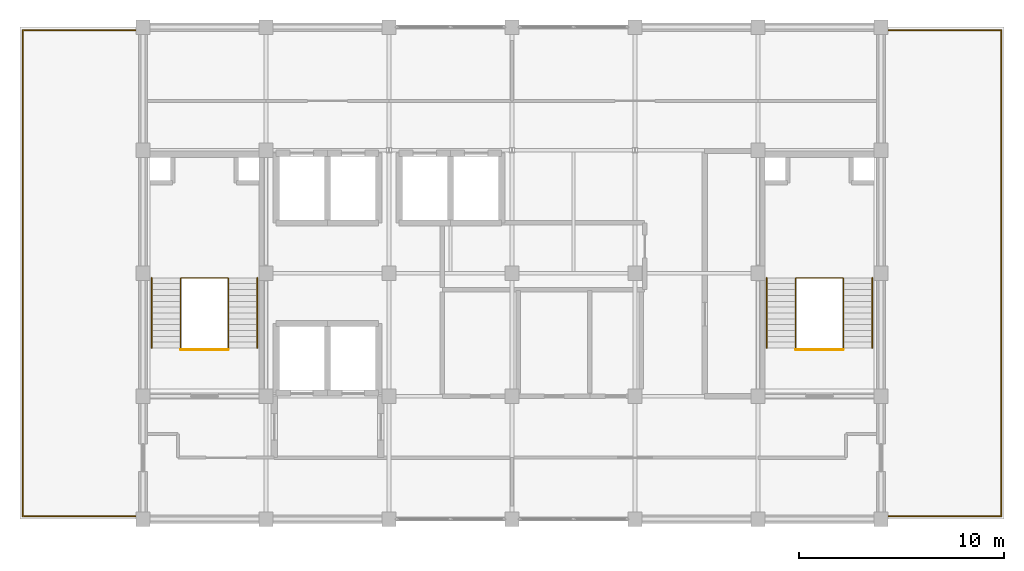
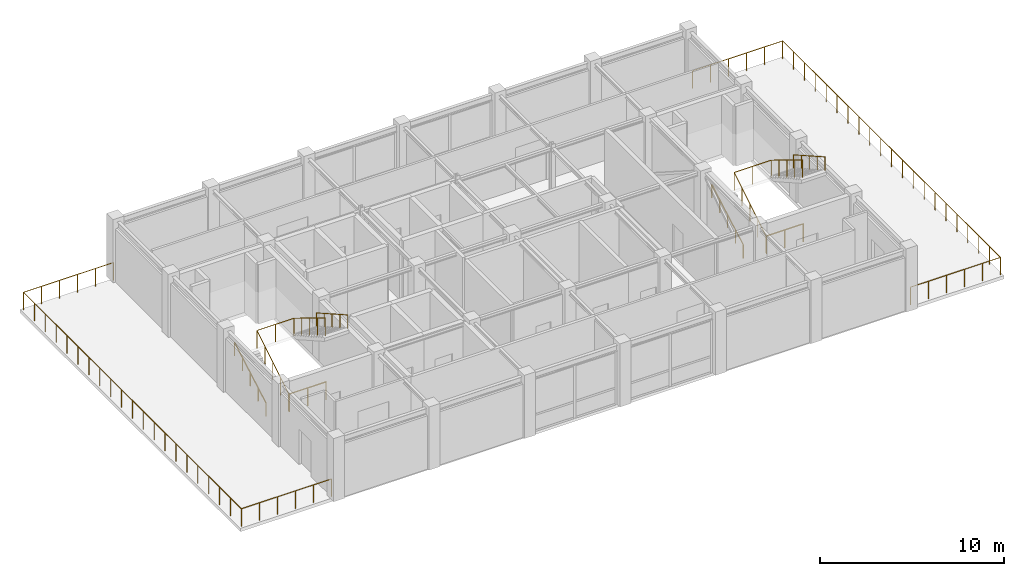
# One storey, part 14 of 14: 10 railings.
"""IFC4 building model written with IfcOpenShell, lengths in metres."""

from ifc_helpers import new_model, si_unit, direction, frame, origin, origin_2d, place, context, subcontext, project, spatial, circle, extrude, material, type_object, element, save


model = new_model("IFC4")

# Units and contexts
model_context = context("Model", 3, precision=1e-05, world=origin(), true_north=direction((0.0, 1.0)))
body_context = subcontext(model_context, "Body", "Model", "MODEL_VIEW")
ifc_project = project(units=[si_unit("LENGTHUNIT", "METRE"), si_unit("AREAUNIT", "SQUARE_METRE"), si_unit("VOLUMEUNIT", "CUBIC_METRE"), si_unit("PLANEANGLEUNIT", "RADIAN"), si_unit("MASSUNIT", "GRAM", prefix="KILO")], contexts=[model_context])

# Site, building, storey
site_placement = place(None, origin())
site = spatial("IfcSite", under=ifc_project, at=site_placement, CompositionType="ELEMENT")
building_placement = place(site_placement, origin())
building = spatial("IfcBuilding", under=site, at=building_placement, Name="Zlatovratsky Civic Hall", CompositionType="ELEMENT")
storey_placement = place(building_placement, frame((0.0, 0.0, 67.800048828125)))
storey = spatial("IfcBuildingStorey", under=building, at=storey_placement, Name="L17", CompositionType="ELEMENT", Elevation=67.800048828125)

# Railings
ifc_material_1 = material(Name="Brushed stainless steel AISI 304", Category="steel")
railing_type_1 = type_object("IfcRailingType", Name="Railing_Guardrail_1200", PredefinedType="GUARDRAIL", material=ifc_material_1)
railing_1_placement = place(storey_placement, frame((67.840087890625, 86.35009765625, 0.0)))
element("IfcRailing", 1, at=railing_1_placement, inside=storey, type_object=railing_type_1, Name="RL-0568", PredefinedType="GUARDRAIL", context=body_context, shape_type="SweptSolid", body=[
    extrude(circle(Radius=0.02392578125, at=origin_2d()), frame((0.0, 0.0, 1.17578125), z_axis=(0.0, 0.852182171552, 0.523245206847), x_axis=(-1.0, 0.0, 0.0)), (0.0, 0.0, 1.0), 4.01318359375),
    extrude(circle(Radius=0.02392578125, at=origin_2d()), frame((0.0, 3.419921875, 3.27587890625), z_axis=(1.0, 0.0, 0.0), x_axis=(0.0, 1.0, 0.0)), (0.0, 0.0, 1.0), 2.31982421875),
    extrude(circle(Radius=0.02392578125, at=origin_2d()), frame((2.31982421875, 3.419921875, 3.27587890625), z_axis=(0.0, -0.852155044755, 0.523289384279), x_axis=(1.0, 0.0, 0.0)), (0.0, 0.0, 1.0), 4.01318359375),
    extrude(circle(Radius=0.02099609375, at=origin_2d()), origin(), (0.0, 0.0, 1.0), 1.15185546875),
    extrude(circle(Radius=0.02099609375, at=origin_2d()), frame((0.0, 0.85498046875, 0.52490234375)), (0.0, 0.0, 1.0), 1.15185546875),
    extrude(circle(Radius=0.02099609375, at=origin_2d()), frame((0.0, 1.7099609375, 1.0498046875)), (0.0, 0.0, 1.0), 1.15185546875),
    extrude(circle(Radius=0.02099609375, at=origin_2d()), frame((0.0, 2.56494140625, 1.574951171875)), (0.0, 0.0, 1.0), 1.15185546875),
    extrude(circle(Radius=0.02099609375, at=origin_2d()), frame((0.0, 3.419921875, 2.099853515625)), (0.0, 0.0, 1.0), 1.15185546875),
    extrude(circle(Radius=0.02099609375, at=origin_2d()), frame((1.159912109375, 3.419921875, 2.099853515625)), (0.0, 0.0, 1.0), 1.15185546875),
    extrude(circle(Radius=0.02099609375, at=origin_2d()), frame((2.31982421875, 3.419921875, 2.099853515625)), (0.0, 0.0, 1.0), 1.15185546875),
    extrude(circle(Radius=0.02099609375, at=origin_2d()), frame((2.31982421875, 2.56494140625, 2.625)), (0.0, 0.0, 1.0), 1.15185546875),
    extrude(circle(Radius=0.02099609375, at=origin_2d()), frame((2.31982421875, 1.7099609375, 3.14990234375)), (0.0, 0.0, 1.0), 1.15185546875),
    extrude(circle(Radius=0.02099609375, at=origin_2d()), frame((2.31982421875, 0.85498046875, 3.6748046875)), (0.0, 0.0, 1.0), 1.15185546875),
    extrude(circle(Radius=0.02099609375, at=origin_2d()), frame((2.31982421875, 0.0, 4.199951171875)), (0.0, 0.0, 1.0), 1.15185546875),
])
railing_2_placement = place(storey_placement, frame((67.840087890625, 86.27001953125, 0.0)))
element("IfcRailing", 2, at=railing_2_placement, inside=storey, type_object=railing_type_1, Name="RL-0571", PredefinedType="GUARDRAIL", context=body_context, shape_type="SweptSolid", body=[
    extrude(circle(Radius=0.02392578125, at=origin_2d()), frame((0.0, 0.0, 1.17578125), z_axis=(1.0, 0.0, 0.0), x_axis=(0.0, 1.0, 0.0)), (0.0, 0.0, 1.0), 2.31982421875),
    extrude(circle(Radius=0.02099609375, at=origin_2d()), origin(), (0.0, 0.0, 1.0), 1.15185546875),
    extrude(circle(Radius=0.02099609375, at=origin_2d()), frame((1.159912109375, 0.0, 0.0)), (0.0, 0.0, 1.0), 1.15185546875),
    extrude(circle(Radius=0.02099609375, at=origin_2d()), frame((2.31982421875, 0.0, 0.0)), (0.0, 0.0, 1.0), 1.15185546875),
])
railing_3_placement = place(storey_placement, frame((97.840087890625, 86.35009765625, 0.0)))
element("IfcRailing", 3, at=railing_3_placement, inside=storey, type_object=railing_type_1, Name="RL-0644", PredefinedType="GUARDRAIL", context=body_context, shape_type="SweptSolid", body=[
    extrude(circle(Radius=0.02392578125, at=origin_2d()), frame((0.0, 0.0, 1.17578125), z_axis=(0.0, 0.852182171552, 0.523245206847), x_axis=(-1.0, 0.0, 0.0)), (0.0, 0.0, 1.0), 4.01318359375),
    extrude(circle(Radius=0.02392578125, at=origin_2d()), frame((0.0, 3.419921875, 3.27587890625), z_axis=(1.0, 0.0, 0.0), x_axis=(0.0, 1.0, 0.0)), (0.0, 0.0, 1.0), 2.31982421875),
    extrude(circle(Radius=0.02392578125, at=origin_2d()), frame((2.31982421875, 3.419921875, 3.27587890625), z_axis=(0.0, -0.852155044755, 0.523289384279), x_axis=(1.0, 0.0, 0.0)), (0.0, 0.0, 1.0), 4.01318359375),
    extrude(circle(Radius=0.02099609375, at=origin_2d()), origin(), (0.0, 0.0, 1.0), 1.15185546875),
    extrude(circle(Radius=0.02099609375, at=origin_2d()), frame((0.0, 0.85498046875, 0.52490234375)), (0.0, 0.0, 1.0), 1.15185546875),
    extrude(circle(Radius=0.02099609375, at=origin_2d()), frame((0.0, 1.7099609375, 1.0498046875)), (0.0, 0.0, 1.0), 1.15185546875),
    extrude(circle(Radius=0.02099609375, at=origin_2d()), frame((0.0, 2.56494140625, 1.574951171875)), (0.0, 0.0, 1.0), 1.15185546875),
    extrude(circle(Radius=0.02099609375, at=origin_2d()), frame((0.0, 3.419921875, 2.099853515625)), (0.0, 0.0, 1.0), 1.15185546875),
    extrude(circle(Radius=0.02099609375, at=origin_2d()), frame((1.159912109375, 3.419921875, 2.099853515625)), (0.0, 0.0, 1.0), 1.15185546875),
    extrude(circle(Radius=0.02099609375, at=origin_2d()), frame((2.31982421875, 3.419921875, 2.099853515625)), (0.0, 0.0, 1.0), 1.15185546875),
    extrude(circle(Radius=0.02099609375, at=origin_2d()), frame((2.31982421875, 2.56494140625, 2.625)), (0.0, 0.0, 1.0), 1.15185546875),
    extrude(circle(Radius=0.02099609375, at=origin_2d()), frame((2.31982421875, 1.7099609375, 3.14990234375)), (0.0, 0.0, 1.0), 1.15185546875),
    extrude(circle(Radius=0.02099609375, at=origin_2d()), frame((2.31982421875, 0.85498046875, 3.6748046875)), (0.0, 0.0, 1.0), 1.15185546875),
    extrude(circle(Radius=0.02099609375, at=origin_2d()), frame((2.31982421875, 0.0, 4.199951171875)), (0.0, 0.0, 1.0), 1.15185546875),
])
railing_4_placement = place(storey_placement, frame((97.840087890625, 86.27001953125, 0.0)))
element("IfcRailing", 4, at=railing_4_placement, inside=storey, type_object=railing_type_1, Name="RL-0647", PredefinedType="GUARDRAIL", context=body_context, shape_type="SweptSolid", body=[
    extrude(circle(Radius=0.02392578125, at=origin_2d()), frame((0.0, 0.0, 1.17578125), z_axis=(1.0, 0.0, 0.0), x_axis=(0.0, 1.0, 0.0)), (0.0, 0.0, 1.0), 2.31982421875),
    extrude(circle(Radius=0.02099609375, at=origin_2d()), origin(), (0.0, 0.0, 1.0), 1.15185546875),
    extrude(circle(Radius=0.02099609375, at=origin_2d()), frame((1.159912109375, 0.0, 0.0)), (0.0, 0.0, 1.0), 1.15185546875),
    extrude(circle(Radius=0.02099609375, at=origin_2d()), frame((2.31982421875, 0.0, 0.0)), (0.0, 0.0, 1.0), 1.15185546875),
])
railing_type_2 = type_object("IfcRailingType", Name="Railing_Handrail_900", PredefinedType="HANDRAIL", material=ifc_material_1)
railing_5_placement = place(storey_placement, frame((66.429931640625, 86.35009765625, 0.161865234375)))
element("IfcRailing", 5, at=railing_5_placement, inside=storey, type_object=railing_type_2, Name="RL-0569", PredefinedType="HANDRAIL", context=body_context, shape_type="SweptSolid", body=[
    extrude(circle(Radius=0.02392578125, at=origin_2d()), frame((0.0, 0.0, 0.8759765625), z_axis=(0.0, 0.870018633773, 0.493018840298), x_axis=(-1.0, 0.0, 0.0)), (0.0, 0.0, 1.0), 3.930908203125),
    extrude(circle(Radius=0.02099609375, at=origin_2d()), origin(), (0.0, 0.0, 1.0), 0.851806640625),
    extrude(circle(Radius=0.02099609375, at=origin_2d()), frame((0.0, 0.85498046875, 0.484375)), (0.0, 0.0, 1.0), 0.851806640625),
    extrude(circle(Radius=0.02099609375, at=origin_2d()), frame((0.0, 1.7099609375, 0.968994140625)), (0.0, 0.0, 1.0), 0.851806640625),
    extrude(circle(Radius=0.02099609375, at=origin_2d()), frame((0.0, 2.56494140625, 1.45361328125)), (0.0, 0.0, 1.0), 0.851806640625),
    extrude(circle(Radius=0.02099609375, at=origin_2d()), frame((0.0, 3.419921875, 1.93798828125)), (0.0, 0.0, 1.0), 0.851806640625),
])
railing_6_placement = place(storey_placement, frame((71.570068359375, 89.77001953125, 2.261962890625)))
element("IfcRailing", 6, at=railing_6_placement, inside=storey, type_object=railing_type_2, Name="RL-0570", PredefinedType="HANDRAIL", context=body_context, shape_type="SweptSolid", body=[
    extrude(circle(Radius=0.02392578125, at=origin_2d()), frame((0.0, 0.0, 0.8759765625), z_axis=(0.0, -0.870018633773, 0.493018840298), x_axis=(1.0, 0.0, 0.0)), (0.0, 0.0, 1.0), 3.930908203125),
    extrude(circle(Radius=0.02099609375, at=origin_2d()), origin(), (0.0, 0.0, 1.0), 0.851806640625),
    extrude(circle(Radius=0.02099609375, at=origin_2d()), frame((0.0, -0.85498046875, 0.484375)), (0.0, 0.0, 1.0), 0.851806640625),
    extrude(circle(Radius=0.02099609375, at=origin_2d()), frame((0.0, -1.7099609375, 0.968994140625)), (0.0, 0.0, 1.0), 0.851806640625),
    extrude(circle(Radius=0.02099609375, at=origin_2d()), frame((0.0, -2.56494140625, 1.45361328125)), (0.0, 0.0, 1.0), 0.851806640625),
    extrude(circle(Radius=0.02099609375, at=origin_2d()), frame((0.0, -3.419921875, 1.93798828125)), (0.0, 0.0, 1.0), 0.851806640625),
])
railing_7_placement = place(storey_placement, frame((96.429931640625, 86.35009765625, 0.161865234375)))
element("IfcRailing", 7, at=railing_7_placement, inside=storey, type_object=railing_type_2, Name="RL-0645", PredefinedType="HANDRAIL", context=body_context, shape_type="SweptSolid", body=[
    extrude(circle(Radius=0.02392578125, at=origin_2d()), frame((0.0, 0.0, 0.8759765625), z_axis=(0.0, 0.870018633773, 0.493018840298), x_axis=(-1.0, 0.0, 0.0)), (0.0, 0.0, 1.0), 3.930908203125),
    extrude(circle(Radius=0.02099609375, at=origin_2d()), origin(), (0.0, 0.0, 1.0), 0.851806640625),
    extrude(circle(Radius=0.02099609375, at=origin_2d()), frame((0.0, 0.85498046875, 0.484375)), (0.0, 0.0, 1.0), 0.851806640625),
    extrude(circle(Radius=0.02099609375, at=origin_2d()), frame((0.0, 1.7099609375, 0.968994140625)), (0.0, 0.0, 1.0), 0.851806640625),
    extrude(circle(Radius=0.02099609375, at=origin_2d()), frame((0.0, 2.56494140625, 1.45361328125)), (0.0, 0.0, 1.0), 0.851806640625),
    extrude(circle(Radius=0.02099609375, at=origin_2d()), frame((0.0, 3.419921875, 1.93798828125)), (0.0, 0.0, 1.0), 0.851806640625),
])
railing_8_placement = place(storey_placement, frame((101.570068359375, 89.77001953125, 2.261962890625)))
element("IfcRailing", 8, at=railing_8_placement, inside=storey, type_object=railing_type_2, Name="RL-0646", PredefinedType="HANDRAIL", context=body_context, shape_type="SweptSolid", body=[
    extrude(circle(Radius=0.02392578125, at=origin_2d()), frame((0.0, 0.0, 0.8759765625), z_axis=(0.0, -0.870018633773, 0.493018840298), x_axis=(1.0, 0.0, 0.0)), (0.0, 0.0, 1.0), 3.930908203125),
    extrude(circle(Radius=0.02099609375, at=origin_2d()), origin(), (0.0, 0.0, 1.0), 0.851806640625),
    extrude(circle(Radius=0.02099609375, at=origin_2d()), frame((0.0, -0.85498046875, 0.484375)), (0.0, 0.0, 1.0), 0.851806640625),
    extrude(circle(Radius=0.02099609375, at=origin_2d()), frame((0.0, -1.7099609375, 0.968994140625)), (0.0, 0.0, 1.0), 0.851806640625),
    extrude(circle(Radius=0.02099609375, at=origin_2d()), frame((0.0, -2.56494140625, 1.45361328125)), (0.0, 0.0, 1.0), 0.851806640625),
    extrude(circle(Radius=0.02099609375, at=origin_2d()), frame((0.0, -3.419921875, 1.93798828125)), (0.0, 0.0, 1.0), 0.851806640625),
])
ifc_material_2 = material(Name="Podolsk limestone ashlar", Category="masonry")
railing_type_3 = type_object("IfcRailingType", Name="Railing_StoneBalustrade_1200", PredefinedType="BALUSTRADE", material=ifc_material_2)
railing_9_placement = place(storey_placement, frame((65.800048828125, 78.139892578125, 0.0)))
element("IfcRailing", 9, at=railing_9_placement, inside=storey, type_object=railing_type_3, Name="RL-006", PredefinedType="BALUSTRADE", context=body_context, shape_type="SweptSolid", body=[
    extrude(circle(Radius=0.02392578125, at=origin_2d()), frame((0.0, 0.0, 1.17578125), z_axis=(-1.0, 0.0, 0.0), x_axis=(0.0, -1.0, 0.0)), (0.0, 0.0, 1.0), 5.66015625),
    extrude(circle(Radius=0.02392578125, at=origin_2d()), frame((-5.66015625, 0.0, 1.17578125), z_axis=(0.0, 1.0, 0.0), x_axis=(-1.0, 0.0, 0.0)), (0.0, 0.0, 1.0), 23.72021484375),
    extrude(circle(Radius=0.02392578125, at=origin_2d()), frame((-5.66015625, 23.72021484375, 1.17578125), z_axis=(1.0, 0.0, 0.0), x_axis=(0.0, 1.0, 0.0)), (0.0, 0.0, 1.0), 5.66015625),
    extrude(circle(Radius=0.02099609375, at=origin_2d()), origin(), (0.0, 0.0, 1.0), 1.15185546875),
    extrude(circle(Radius=0.02099609375, at=origin_2d()), frame((-1.132080078125, 0.0, 0.0)), (0.0, 0.0, 1.0), 1.15185546875),
    extrude(circle(Radius=0.02099609375, at=origin_2d()), frame((-2.26416015625, 0.0, 0.0)), (0.0, 0.0, 1.0), 1.15185546875),
    extrude(circle(Radius=0.02099609375, at=origin_2d()), frame((-3.39599609375, 0.0, 0.0)), (0.0, 0.0, 1.0), 1.15185546875),
    extrude(circle(Radius=0.02099609375, at=origin_2d()), frame((-4.528076171875, 0.0, 0.0)), (0.0, 0.0, 1.0), 1.15185546875),
    extrude(circle(Radius=0.02099609375, at=origin_2d()), frame((-5.66015625, 0.0, 0.0)), (0.0, 0.0, 1.0), 1.15185546875),
    extrude(circle(Radius=0.02099609375, at=origin_2d()), frame((-5.66015625, 1.18603515625, 0.0)), (0.0, 0.0, 1.0), 1.15185546875),
    extrude(circle(Radius=0.02099609375, at=origin_2d()), frame((-5.66015625, 2.3720703125, 0.0)), (0.0, 0.0, 1.0), 1.15185546875),
    extrude(circle(Radius=0.02099609375, at=origin_2d()), frame((-5.66015625, 3.55810546875, 0.0)), (0.0, 0.0, 1.0), 1.15185546875),
    extrude(circle(Radius=0.02099609375, at=origin_2d()), frame((-5.66015625, 4.744140625, 0.0)), (0.0, 0.0, 1.0), 1.15185546875),
    extrude(circle(Radius=0.02099609375, at=origin_2d()), frame((-5.66015625, 5.93017578125, 0.0)), (0.0, 0.0, 1.0), 1.15185546875),
    extrude(circle(Radius=0.02099609375, at=origin_2d()), frame((-5.66015625, 7.115966796875, 0.0)), (0.0, 0.0, 1.0), 1.15185546875),
    extrude(circle(Radius=0.02099609375, at=origin_2d()), frame((-5.66015625, 8.302001953125, 0.0)), (0.0, 0.0, 1.0), 1.15185546875),
    extrude(circle(Radius=0.02099609375, at=origin_2d()), frame((-5.66015625, 9.488037109375, 0.0)), (0.0, 0.0, 1.0), 1.15185546875),
    extrude(circle(Radius=0.02099609375, at=origin_2d()), frame((-5.66015625, 10.674072265625, 0.0)), (0.0, 0.0, 1.0), 1.15185546875),
    extrude(circle(Radius=0.02099609375, at=origin_2d()), frame((-5.66015625, 11.860107421875, 0.0)), (0.0, 0.0, 1.0), 1.15185546875),
    extrude(circle(Radius=0.02099609375, at=origin_2d()), frame((-5.66015625, 13.046142578125, 0.0)), (0.0, 0.0, 1.0), 1.15185546875),
    extrude(circle(Radius=0.02099609375, at=origin_2d()), frame((-5.66015625, 14.232177734375, 0.0)), (0.0, 0.0, 1.0), 1.15185546875),
    extrude(circle(Radius=0.02099609375, at=origin_2d()), frame((-5.66015625, 15.418212890625, 0.0)), (0.0, 0.0, 1.0), 1.15185546875),
    extrude(circle(Radius=0.02099609375, at=origin_2d()), frame((-5.66015625, 16.604248046875, 0.0)), (0.0, 0.0, 1.0), 1.15185546875),
    extrude(circle(Radius=0.02099609375, at=origin_2d()), frame((-5.66015625, 17.7900390625, 0.0)), (0.0, 0.0, 1.0), 1.15185546875),
    extrude(circle(Radius=0.02099609375, at=origin_2d()), frame((-5.66015625, 18.97607421875, 0.0)), (0.0, 0.0, 1.0), 1.15185546875),
    extrude(circle(Radius=0.02099609375, at=origin_2d()), frame((-5.66015625, 20.162109375, 0.0)), (0.0, 0.0, 1.0), 1.15185546875),
    extrude(circle(Radius=0.02099609375, at=origin_2d()), frame((-5.66015625, 21.34814453125, 0.0)), (0.0, 0.0, 1.0), 1.15185546875),
    extrude(circle(Radius=0.02099609375, at=origin_2d()), frame((-5.66015625, 22.5341796875, 0.0)), (0.0, 0.0, 1.0), 1.15185546875),
    extrude(circle(Radius=0.02099609375, at=origin_2d()), frame((-5.66015625, 23.72021484375, 0.0)), (0.0, 0.0, 1.0), 1.15185546875),
    extrude(circle(Radius=0.02099609375, at=origin_2d()), frame((-4.528076171875, 23.72021484375, 0.0)), (0.0, 0.0, 1.0), 1.15185546875),
    extrude(circle(Radius=0.02099609375, at=origin_2d()), frame((-3.39599609375, 23.72021484375, 0.0)), (0.0, 0.0, 1.0), 1.15185546875),
    extrude(circle(Radius=0.02099609375, at=origin_2d()), frame((-2.26416015625, 23.72021484375, 0.0)), (0.0, 0.0, 1.0), 1.15185546875),
    extrude(circle(Radius=0.02099609375, at=origin_2d()), frame((-1.132080078125, 23.72021484375, 0.0)), (0.0, 0.0, 1.0), 1.15185546875),
    extrude(circle(Radius=0.02099609375, at=origin_2d()), frame((0.0, 23.72021484375, 0.0)), (0.0, 0.0, 1.0), 1.15185546875),
])
railing_10_placement = place(storey_placement, frame((102.199951171875, 78.139892578125, 0.0)))
element("IfcRailing", 10, at=railing_10_placement, inside=storey, type_object=railing_type_3, Name="RL-007", PredefinedType="BALUSTRADE", context=body_context, shape_type="SweptSolid", body=[
    extrude(circle(Radius=0.02392578125, at=origin_2d()), frame((0.0, 0.0, 1.17578125), z_axis=(1.0, 0.0, 0.0), x_axis=(0.0, 1.0, 0.0)), (0.0, 0.0, 1.0), 5.66015625),
    extrude(circle(Radius=0.02392578125, at=origin_2d()), frame((5.66015625, 0.0, 1.17578125), z_axis=(0.0, 1.0, 0.0), x_axis=(-1.0, 0.0, 0.0)), (0.0, 0.0, 1.0), 23.72021484375),
    extrude(circle(Radius=0.02392578125, at=origin_2d()), frame((5.66015625, 23.72021484375, 1.17578125), z_axis=(-1.0, 0.0, 0.0), x_axis=(0.0, -1.0, 0.0)), (0.0, 0.0, 1.0), 5.66015625),
    extrude(circle(Radius=0.02099609375, at=origin_2d()), origin(), (0.0, 0.0, 1.0), 1.15185546875),
    extrude(circle(Radius=0.02099609375, at=origin_2d()), frame((1.132080078125, 0.0, 0.0)), (0.0, 0.0, 1.0), 1.15185546875),
    extrude(circle(Radius=0.02099609375, at=origin_2d()), frame((2.26416015625, 0.0, 0.0)), (0.0, 0.0, 1.0), 1.15185546875),
    extrude(circle(Radius=0.02099609375, at=origin_2d()), frame((3.39599609375, 0.0, 0.0)), (0.0, 0.0, 1.0), 1.15185546875),
    extrude(circle(Radius=0.02099609375, at=origin_2d()), frame((4.528076171875, 0.0, 0.0)), (0.0, 0.0, 1.0), 1.15185546875),
    extrude(circle(Radius=0.02099609375, at=origin_2d()), frame((5.66015625, 0.0, 0.0)), (0.0, 0.0, 1.0), 1.15185546875),
    extrude(circle(Radius=0.02099609375, at=origin_2d()), frame((5.66015625, 1.18603515625, 0.0)), (0.0, 0.0, 1.0), 1.15185546875),
    extrude(circle(Radius=0.02099609375, at=origin_2d()), frame((5.66015625, 2.3720703125, 0.0)), (0.0, 0.0, 1.0), 1.15185546875),
    extrude(circle(Radius=0.02099609375, at=origin_2d()), frame((5.66015625, 3.55810546875, 0.0)), (0.0, 0.0, 1.0), 1.15185546875),
    extrude(circle(Radius=0.02099609375, at=origin_2d()), frame((5.66015625, 4.744140625, 0.0)), (0.0, 0.0, 1.0), 1.15185546875),
    extrude(circle(Radius=0.02099609375, at=origin_2d()), frame((5.66015625, 5.93017578125, 0.0)), (0.0, 0.0, 1.0), 1.15185546875),
    extrude(circle(Radius=0.02099609375, at=origin_2d()), frame((5.66015625, 7.115966796875, 0.0)), (0.0, 0.0, 1.0), 1.15185546875),
    extrude(circle(Radius=0.02099609375, at=origin_2d()), frame((5.66015625, 8.302001953125, 0.0)), (0.0, 0.0, 1.0), 1.15185546875),
    extrude(circle(Radius=0.02099609375, at=origin_2d()), frame((5.66015625, 9.488037109375, 0.0)), (0.0, 0.0, 1.0), 1.15185546875),
    extrude(circle(Radius=0.02099609375, at=origin_2d()), frame((5.66015625, 10.674072265625, 0.0)), (0.0, 0.0, 1.0), 1.15185546875),
    extrude(circle(Radius=0.02099609375, at=origin_2d()), frame((5.66015625, 11.860107421875, 0.0)), (0.0, 0.0, 1.0), 1.15185546875),
    extrude(circle(Radius=0.02099609375, at=origin_2d()), frame((5.66015625, 13.046142578125, 0.0)), (0.0, 0.0, 1.0), 1.15185546875),
    extrude(circle(Radius=0.02099609375, at=origin_2d()), frame((5.66015625, 14.232177734375, 0.0)), (0.0, 0.0, 1.0), 1.15185546875),
    extrude(circle(Radius=0.02099609375, at=origin_2d()), frame((5.66015625, 15.418212890625, 0.0)), (0.0, 0.0, 1.0), 1.15185546875),
    extrude(circle(Radius=0.02099609375, at=origin_2d()), frame((5.66015625, 16.604248046875, 0.0)), (0.0, 0.0, 1.0), 1.15185546875),
    extrude(circle(Radius=0.02099609375, at=origin_2d()), frame((5.66015625, 17.7900390625, 0.0)), (0.0, 0.0, 1.0), 1.15185546875),
    extrude(circle(Radius=0.02099609375, at=origin_2d()), frame((5.66015625, 18.97607421875, 0.0)), (0.0, 0.0, 1.0), 1.15185546875),
    extrude(circle(Radius=0.02099609375, at=origin_2d()), frame((5.66015625, 20.162109375, 0.0)), (0.0, 0.0, 1.0), 1.15185546875),
    extrude(circle(Radius=0.02099609375, at=origin_2d()), frame((5.66015625, 21.34814453125, 0.0)), (0.0, 0.0, 1.0), 1.15185546875),
    extrude(circle(Radius=0.02099609375, at=origin_2d()), frame((5.66015625, 22.5341796875, 0.0)), (0.0, 0.0, 1.0), 1.15185546875),
    extrude(circle(Radius=0.02099609375, at=origin_2d()), frame((5.66015625, 23.72021484375, 0.0)), (0.0, 0.0, 1.0), 1.15185546875),
    extrude(circle(Radius=0.02099609375, at=origin_2d()), frame((4.528076171875, 23.72021484375, 0.0)), (0.0, 0.0, 1.0), 1.15185546875),
    extrude(circle(Radius=0.02099609375, at=origin_2d()), frame((3.39599609375, 23.72021484375, 0.0)), (0.0, 0.0, 1.0), 1.15185546875),
    extrude(circle(Radius=0.02099609375, at=origin_2d()), frame((2.26416015625, 23.72021484375, 0.0)), (0.0, 0.0, 1.0), 1.15185546875),
    extrude(circle(Radius=0.02099609375, at=origin_2d()), frame((1.132080078125, 23.72021484375, 0.0)), (0.0, 0.0, 1.0), 1.15185546875),
    extrude(circle(Radius=0.02099609375, at=origin_2d()), frame((0.0, 23.72021484375, 0.0)), (0.0, 0.0, 1.0), 1.15185546875),
])

save(model, "model.ifc")
